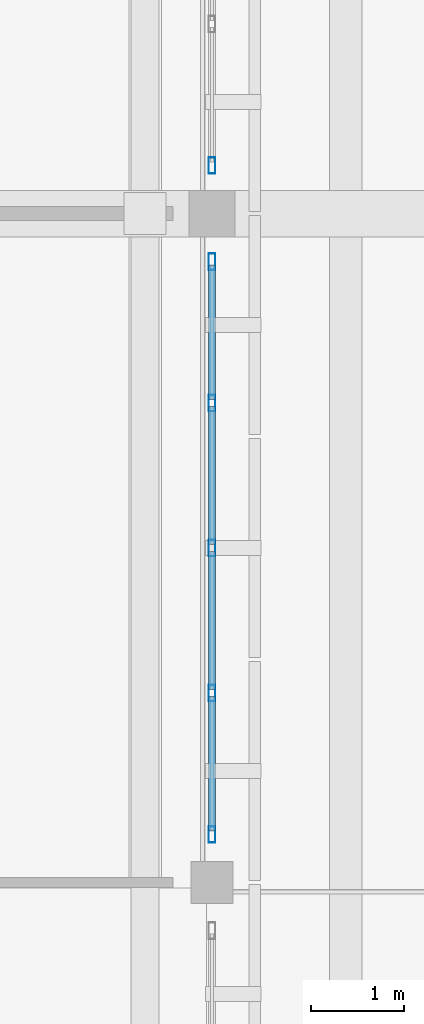
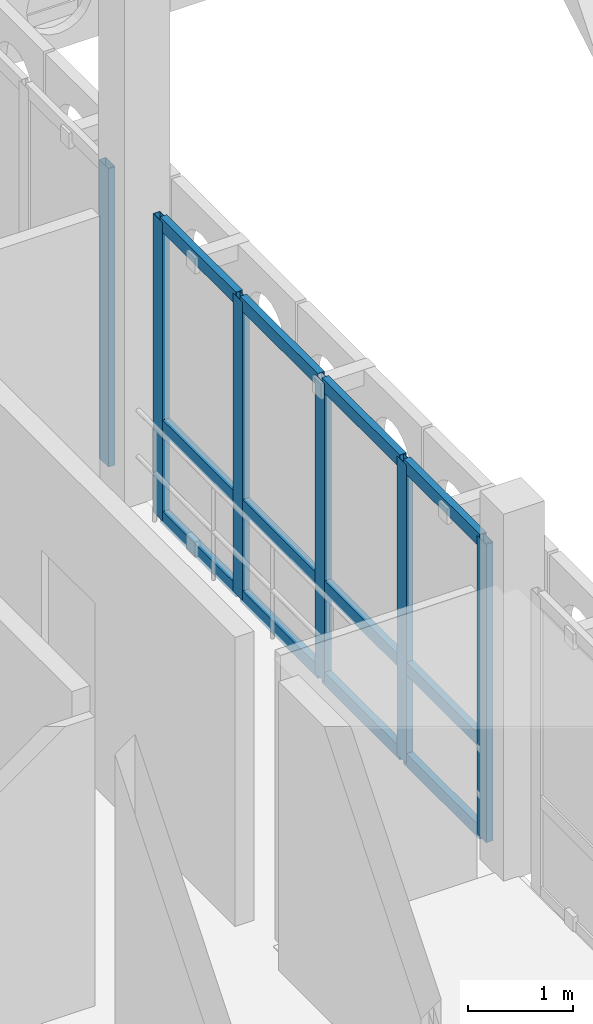
# One storey, part 23 of 171: 18 members, 2 elements without a shape of their own.
"""IFC4 building model written with IfcOpenShell, lengths in metres."""

from ifc_helpers import new_model, si_unit, direction, frame, origin, origin_2d, place, context, subcontext, project, spatial, hollow_rectangle, extrude, material, material_profile, profile_set, type_object, element, aggregate, save


model = new_model("IFC4")

# Units and contexts
model_context = context("Model", 3, precision=1e-05, world=origin(), true_north=direction((0.0, 1.0)))
body_context = subcontext(model_context, "Body", "Model", "MODEL_VIEW")
ifc_project = project(units=[si_unit("LENGTHUNIT", "METRE"), si_unit("AREAUNIT", "SQUARE_METRE"), si_unit("VOLUMEUNIT", "CUBIC_METRE"), si_unit("PLANEANGLEUNIT", "RADIAN"), si_unit("MASSUNIT", "GRAM", prefix="KILO")], contexts=[model_context])

# Site, building, storey
site_placement = place(None, origin())
site = spatial("IfcSite", under=ifc_project, at=site_placement, CompositionType="ELEMENT")
building_placement = place(site_placement, origin())
building = spatial("IfcBuilding", under=site, at=building_placement, Name="Aldebral Square Health Centre", CompositionType="ELEMENT")
storey_placement = place(building_placement, frame((0.0, 0.0, 4.5)))
storey = spatial("IfcBuildingStorey", under=building, at=storey_placement, Name="L01", CompositionType="ELEMENT", Elevation=4.5)

# Curtain wall, members
ifc_material_1 = material(Name="Aluminium and low-E solar glass", Category="aluminium")
curtain_wall_type = type_object("IfcCurtainWallType", Name="CW-HALL-SYS", PredefinedType="USERDEFINED", material=ifc_material_1)
curtain_wall_1_placement = place(storey_placement, origin())
curtain_wall_1 = element("IfcCurtainWall", 1, at=curtain_wall_1_placement, inside=storey, type_object=curtain_wall_type, Name="L01 V1 hall curtain wall L01-V1-09-11-E", ObjectType="HALL_CURTAIN_WALL", PredefinedType="USERDEFINED")
ifc_material_2 = material(Name="Anodised aluminium mullion", Category="aluminium")
ifc_material_profile_1 = material_profile(ifc_material_2, hollow_rectangle(XDim=0.074951171875, YDim=0.179931640625, WallThickness=0.00390625, at=origin_2d()), Name="CWM 75x180x4")
ifc_profile_set_1 = profile_set([ifc_material_profile_1], Name="Anodised aluminium mullion")
member_type_1 = type_object("IfcMemberType", Name="CWM-STD", PredefinedType="MULLION", material=ifc_profile_set_1)
member_1_placement = place(storey_placement, frame((72.0, 79.717529296875, 0.0), z_axis=(0.0, 0.0, 1.0), x_axis=(-1.0, 0.0, 0.0)))
member_1 = element("IfcMember", 2, at=member_1_placement, type_object=member_type_1, Name="CW2 mullion 1", PredefinedType="MULLION", context=body_context, shape_type="SweptSolid", body=[
    extrude(hollow_rectangle(XDim=0.074951171875, YDim=0.179931640625, WallThickness=0.00390625, at=origin_2d()), origin(), (0.0, 0.0, 1.0), 3.469970703125),
])
member_2_placement = place(storey_placement, frame((72.0, 81.239990234375, 0.0), z_axis=(0.0, 0.0, 1.0), x_axis=(-1.0, 0.0, 0.0)))
member_2 = element("IfcMember", 3, at=member_2_placement, type_object=member_type_1, Name="CW2 mullion 2", PredefinedType="MULLION", context=body_context, shape_type="SweptSolid", body=[
    extrude(hollow_rectangle(XDim=0.074951171875, YDim=0.179931640625, WallThickness=0.00390625, at=origin_2d()), origin(), (0.0, 0.0, 1.0), 3.469970703125),
])
member_3_placement = place(storey_placement, frame((72.0, 82.800048828125, 0.0), z_axis=(0.0, 0.0, 1.0), x_axis=(-1.0, 0.0, 0.0)))
member_3 = element("IfcMember", 4, at=member_3_placement, type_object=member_type_1, Name="CW2 mullion 3", PredefinedType="MULLION", context=body_context, shape_type="SweptSolid", body=[
    extrude(hollow_rectangle(XDim=0.074951171875, YDim=0.179931640625, WallThickness=0.00390625, at=origin_2d()), origin(), (0.0, 0.0, 1.0), 3.469970703125),
])
member_4_placement = place(storey_placement, frame((72.0, 84.360107421875, 0.0), z_axis=(0.0, 0.0, 1.0), x_axis=(-1.0, 0.0, 0.0)))
member_4 = element("IfcMember", 5, at=member_4_placement, type_object=member_type_1, Name="CW2 mullion 4", PredefinedType="MULLION", context=body_context, shape_type="SweptSolid", body=[
    extrude(hollow_rectangle(XDim=0.074951171875, YDim=0.179931640625, WallThickness=0.00390625, at=origin_2d()), origin(), (0.0, 0.0, 1.0), 3.469970703125),
])
member_5_placement = place(storey_placement, frame((72.0, 85.882568359375, 0.0), z_axis=(0.0, 0.0, 1.0), x_axis=(-1.0, 0.0, 0.0)))
member_5 = element("IfcMember", 6, at=member_5_placement, type_object=member_type_1, Name="CW2 mullion 5", PredefinedType="MULLION", context=body_context, shape_type="SweptSolid", body=[
    extrude(hollow_rectangle(XDim=0.074951171875, YDim=0.179931640625, WallThickness=0.00390625, at=origin_2d()), origin(), (0.0, 0.0, 1.0), 3.469970703125),
])

# Curtain wall, member
curtain_wall_2_placement = place(storey_placement, origin())
curtain_wall_2 = element("IfcCurtainWall", 7, at=curtain_wall_2_placement, inside=storey, type_object=curtain_wall_type, Name="L01 V1 hall curtain wall L01-V1-09-12-E", ObjectType="HALL_CURTAIN_WALL", PredefinedType="USERDEFINED")
member_6_placement = place(storey_placement, frame((72.0, 86.91748046875, 0.0), z_axis=(0.0, 0.0, 1.0), x_axis=(-1.0, 0.0, 0.0)))
member_6 = element("IfcMember", 8, at=member_6_placement, type_object=member_type_1, Name="CW2 mullion 1", PredefinedType="MULLION", context=body_context, shape_type="SweptSolid", body=[
    extrude(hollow_rectangle(XDim=0.074951171875, YDim=0.179931640625, WallThickness=0.00390625, at=origin_2d()), origin(), (0.0, 0.0, 1.0), 3.469970703125),
])
aggregate(curtain_wall_2, [member_6])

# Member
ifc_material_3 = material(Name="Anodised aluminium transom", Category="aluminium")
ifc_material_profile_2 = material_profile(ifc_material_3, hollow_rectangle(XDim=0.074951171875, YDim=0.14990234375, WallThickness=0.00390625, at=origin_2d()), Name="CWT 75x150x4")
ifc_profile_set_2 = profile_set([ifc_material_profile_2], Name="Anodised aluminium transom")
member_type_2 = type_object("IfcMemberType", Name="CWT-STD", PredefinedType="USERDEFINED", material=ifc_profile_set_2)
member_7_placement = place(storey_placement, frame((72.0, 79.7548828125, 0.03759765625), z_axis=(0.0, 1.0, 0.0), x_axis=(-1.0, 0.0, 0.0)))
member_7 = element("IfcMember", 9, at=member_7_placement, type_object=member_type_2, Name="CW2 transom 1.1", ObjectType="TRANSOM", PredefinedType="USERDEFINED", context=body_context, shape_type="SweptSolid", body=[
    extrude(hollow_rectangle(XDim=0.074951171875, YDim=0.14990234375, WallThickness=0.00390625, at=origin_2d()), origin(), (0.0, 0.0, 1.0), 1.447509765625),
])

member_8_placement = place(storey_placement, frame((72.0, 79.7548828125, 1.10009765625), z_axis=(0.0, 1.0, 0.0), x_axis=(-1.0, 0.0, 0.0)))
member_8 = element("IfcMember", 10, at=member_8_placement, type_object=member_type_2, Name="CW2 transom 1.2", ObjectType="TRANSOM", PredefinedType="USERDEFINED", context=body_context, shape_type="SweptSolid", body=[
    extrude(hollow_rectangle(XDim=0.074951171875, YDim=0.14990234375, WallThickness=0.00390625, at=origin_2d()), origin(), (0.0, 0.0, 1.0), 1.447509765625),
])

member_9_placement = place(storey_placement, frame((72.0, 79.7548828125, 3.4326171875), z_axis=(0.0, 1.0, 0.0), x_axis=(-1.0, 0.0, 0.0)))
member_9 = element("IfcMember", 11, at=member_9_placement, type_object=member_type_2, Name="CW2 transom 1.3", ObjectType="TRANSOM", PredefinedType="USERDEFINED", context=body_context, shape_type="SweptSolid", body=[
    extrude(hollow_rectangle(XDim=0.074951171875, YDim=0.14990234375, WallThickness=0.00390625, at=origin_2d()), origin(), (0.0, 0.0, 1.0), 1.447509765625),
])

member_10_placement = place(storey_placement, frame((72.0, 81.277587890625, 0.03759765625), z_axis=(0.0, 1.0, 0.0), x_axis=(-1.0, 0.0, 0.0)))
member_10 = element("IfcMember", 12, at=member_10_placement, type_object=member_type_2, Name="CW2 transom 2.1", ObjectType="TRANSOM", PredefinedType="USERDEFINED", context=body_context, shape_type="SweptSolid", body=[
    extrude(hollow_rectangle(XDim=0.074951171875, YDim=0.14990234375, WallThickness=0.00390625, at=origin_2d()), origin(), (0.0, 0.0, 1.0), 1.48486328125),
])

member_11_placement = place(storey_placement, frame((72.0, 81.277587890625, 1.10009765625), z_axis=(0.0, 1.0, 0.0), x_axis=(-1.0, 0.0, 0.0)))
member_11 = element("IfcMember", 13, at=member_11_placement, type_object=member_type_2, Name="CW2 transom 2.2", ObjectType="TRANSOM", PredefinedType="USERDEFINED", context=body_context, shape_type="SweptSolid", body=[
    extrude(hollow_rectangle(XDim=0.074951171875, YDim=0.14990234375, WallThickness=0.00390625, at=origin_2d()), origin(), (0.0, 0.0, 1.0), 1.48486328125),
])

member_12_placement = place(storey_placement, frame((72.0, 81.277587890625, 3.4326171875), z_axis=(0.0, 1.0, 0.0), x_axis=(-1.0, 0.0, 0.0)))
member_12 = element("IfcMember", 14, at=member_12_placement, type_object=member_type_2, Name="CW2 transom 2.3", ObjectType="TRANSOM", PredefinedType="USERDEFINED", context=body_context, shape_type="SweptSolid", body=[
    extrude(hollow_rectangle(XDim=0.074951171875, YDim=0.14990234375, WallThickness=0.00390625, at=origin_2d()), origin(), (0.0, 0.0, 1.0), 1.48486328125),
])

member_13_placement = place(storey_placement, frame((72.0, 82.83740234375, 0.03759765625), z_axis=(0.0, 1.0, 0.0), x_axis=(-1.0, 0.0, 0.0)))
member_13 = element("IfcMember", 15, at=member_13_placement, type_object=member_type_2, Name="CW2 transom 3.1", ObjectType="TRANSOM", PredefinedType="USERDEFINED", context=body_context, shape_type="SweptSolid", body=[
    extrude(hollow_rectangle(XDim=0.074951171875, YDim=0.14990234375, WallThickness=0.00390625, at=origin_2d()), origin(), (0.0, 0.0, 1.0), 1.485107421875),
])

member_14_placement = place(storey_placement, frame((72.0, 82.83740234375, 1.10009765625), z_axis=(0.0, 1.0, 0.0), x_axis=(-1.0, 0.0, 0.0)))
member_14 = element("IfcMember", 16, at=member_14_placement, type_object=member_type_2, Name="CW2 transom 3.2", ObjectType="TRANSOM", PredefinedType="USERDEFINED", context=body_context, shape_type="SweptSolid", body=[
    extrude(hollow_rectangle(XDim=0.074951171875, YDim=0.14990234375, WallThickness=0.00390625, at=origin_2d()), origin(), (0.0, 0.0, 1.0), 1.485107421875),
])

member_15_placement = place(storey_placement, frame((72.0, 82.83740234375, 3.4326171875), z_axis=(0.0, 1.0, 0.0), x_axis=(-1.0, 0.0, 0.0)))
member_15 = element("IfcMember", 17, at=member_15_placement, type_object=member_type_2, Name="CW2 transom 3.3", ObjectType="TRANSOM", PredefinedType="USERDEFINED", context=body_context, shape_type="SweptSolid", body=[
    extrude(hollow_rectangle(XDim=0.074951171875, YDim=0.14990234375, WallThickness=0.00390625, at=origin_2d()), origin(), (0.0, 0.0, 1.0), 1.485107421875),
])

member_16_placement = place(storey_placement, frame((72.0, 84.3974609375, 0.03759765625), z_axis=(0.0, 1.0, 0.0), x_axis=(-1.0, 0.0, 0.0)))
member_16 = element("IfcMember", 18, at=member_16_placement, type_object=member_type_2, Name="CW2 transom 4.1", ObjectType="TRANSOM", PredefinedType="USERDEFINED", context=body_context, shape_type="SweptSolid", body=[
    extrude(hollow_rectangle(XDim=0.074951171875, YDim=0.14990234375, WallThickness=0.00390625, at=origin_2d()), origin(), (0.0, 0.0, 1.0), 1.447509765625),
])

member_17_placement = place(storey_placement, frame((72.0, 84.3974609375, 1.10009765625), z_axis=(0.0, 1.0, 0.0), x_axis=(-1.0, 0.0, 0.0)))
member_17 = element("IfcMember", 19, at=member_17_placement, type_object=member_type_2, Name="CW2 transom 4.2", ObjectType="TRANSOM", PredefinedType="USERDEFINED", context=body_context, shape_type="SweptSolid", body=[
    extrude(hollow_rectangle(XDim=0.074951171875, YDim=0.14990234375, WallThickness=0.00390625, at=origin_2d()), origin(), (0.0, 0.0, 1.0), 1.447509765625),
])

member_18_placement = place(storey_placement, frame((72.0, 84.3974609375, 3.4326171875), z_axis=(0.0, 1.0, 0.0), x_axis=(-1.0, 0.0, 0.0)))
member_18 = element("IfcMember", 20, at=member_18_placement, type_object=member_type_2, Name="CW2 transom 4.3", ObjectType="TRANSOM", PredefinedType="USERDEFINED", context=body_context, shape_type="SweptSolid", body=[
    extrude(hollow_rectangle(XDim=0.074951171875, YDim=0.14990234375, WallThickness=0.00390625, at=origin_2d()), origin(), (0.0, 0.0, 1.0), 1.447509765625),
])

aggregate(curtain_wall_1, [member_1, member_2, member_3, member_4, member_5, member_7, member_8, member_9, member_10, member_11, member_12, member_13, member_14, member_15, member_16, member_17, member_18])

save(model, "model.ifc")
